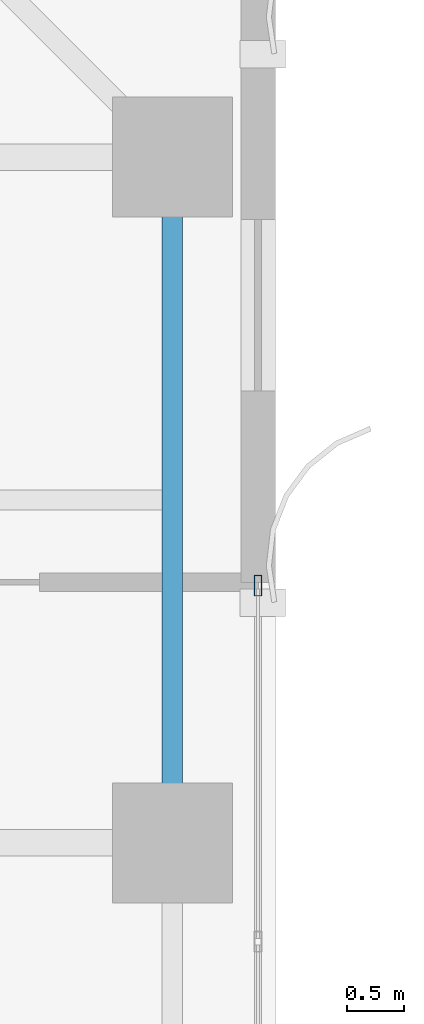
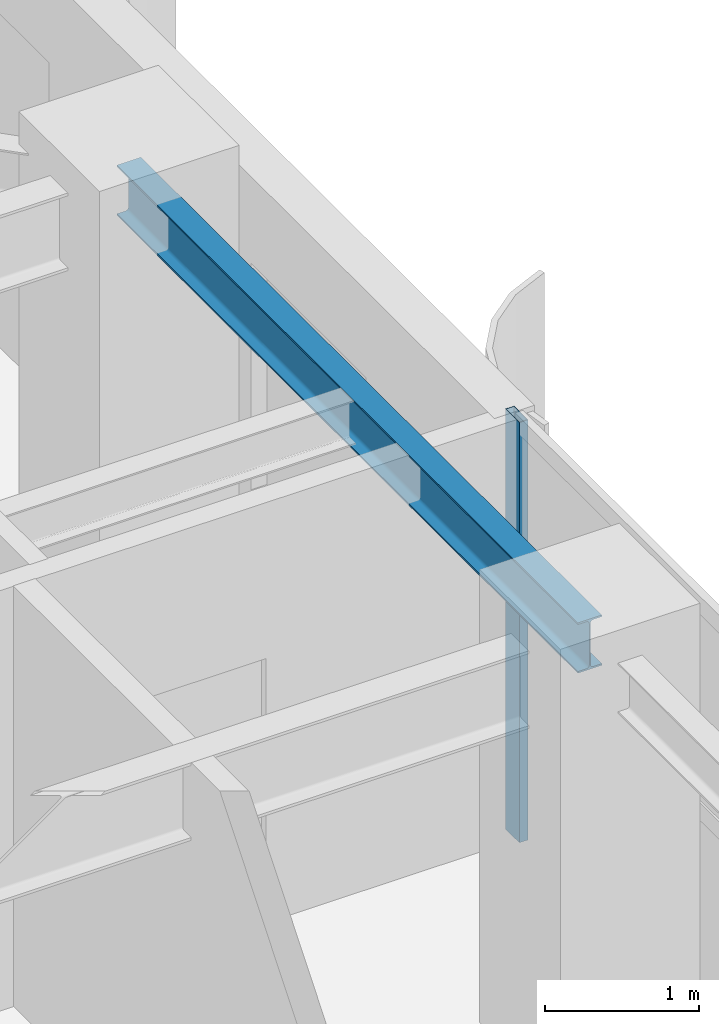
# One storey, part 15 of 25: 1 beam, 1 member, 1 element without a shape of its own.
"""IFC4 building model written with IfcOpenShell, lengths in metres."""

from ifc_helpers import new_model, si_unit, direction, frame, origin, origin_2d, place, context, subcontext, project, spatial, hollow_rectangle, i_section, extrude, source, transform, mapped, material, layer, layer_set, material_profile, profile_set, type_object, element, aggregate, save


model = new_model("IFC4")

# Units and contexts
model_context = context("Model", 3, precision=1e-05, world=origin(), true_north=direction((0.0, 1.0)))
body_context = subcontext(model_context, "Body", "Model", "MODEL_VIEW")
ifc_project = project(units=[si_unit("LENGTHUNIT", "METRE"), si_unit("AREAUNIT", "SQUARE_METRE"), si_unit("VOLUMEUNIT", "CUBIC_METRE"), si_unit("PLANEANGLEUNIT", "RADIAN"), si_unit("MASSUNIT", "GRAM", prefix="KILO")], contexts=[model_context])

# Site, building, storey
site_placement = place(None, origin())
site = spatial("IfcSite", under=ifc_project, at=site_placement, CompositionType="ELEMENT")
building_placement = place(site_placement, origin())
building = spatial("IfcBuilding", under=site, at=building_placement, Name="Khoralis Quay Care Tower", CompositionType="ELEMENT")
storey_placement = place(building_placement, frame((0.0, 0.0, 134.10009765625)))
storey = spatial("IfcBuildingStorey", under=building, at=storey_placement, Name="L35", CompositionType="ELEMENT", Elevation=134.10009765625)

# Beam
ifc_material_1 = material(Name="Steel S355", Category="steel")
ifc_material_profile_1 = material_profile(ifc_material_1, i_section(OverallWidth=0.179931640625, OverallDepth=0.39990234375, WebThickness=0.008544921875, FlangeThickness=0.013427734375, FilletRadius=0.02099609375, at=origin_2d()), Name="Steel S355")
ifc_profile_set_1 = profile_set([ifc_material_profile_1], Name="Steel S355")
beam_type = type_object("IfcBeamType", Name="BM-IPE400", PredefinedType="SPANDREL", material=ifc_profile_set_1)
shared_shape_1 = source(origin(), body_context, "Body", "SweptSolid", [
    extrude(i_section(OverallWidth=0.179931640625, OverallDepth=0.39990234375, WebThickness=0.008544921875, FlangeThickness=0.013427734375, FilletRadius=0.02099609375, at=origin_2d()), origin(), (0.0, 0.0, 1.0), 6.0),
])
beam_placement = place(storey_placement, frame((44.10009765625, 30.0, 3.139892578125), z_axis=(0.0, 1.0, 0.0), x_axis=(-1.0, 0.0, 0.0)))
element("IfcBeam", 1, at=beam_placement, inside=storey, type_object=beam_type, Name="BM-TSP-L35-20", PredefinedType="SPANDREL", context=body_context, shape_type="MappedRepresentation", body=[
    mapped(shared_shape_1, transform((0.0, 0.0, 0.0), scale=1.0)),
])

# Curtain wall, member
ifc_material_2 = material(Name="Pale anodised aluminium", Category="aluminium")
ifc_layer = layer(ifc_material_2, 0.169921875)
ifc_layer_set = layer_set([ifc_layer], Name="Pale anodised aluminium")
curtain_wall_type = type_object("IfcCurtainWallType", Name="CW-SYS-Z2", PredefinedType="NOTDEFINED", material=ifc_layer_set)
curtain_wall_placement = place(storey_placement, origin())
curtain_wall = element("IfcCurtainWall", 2, at=curtain_wall_placement, inside=storey, type_object=curtain_wall_type, Name="L35 Unitised Curtain Wall CW-L35-P1-E5", PredefinedType="NOTDEFINED")
ifc_material_profile_2 = material_profile(ifc_material_2, hollow_rectangle(XDim=0.06494140625, YDim=0.179931640625, WallThickness=0.00390625, at=origin_2d()), Name="Pale anodised aluminium")
ifc_profile_set_2 = profile_set([ifc_material_profile_2], Name="Pale anodised aluminium")
member_type = type_object("IfcMemberType", Name="CW-MUL-180", PredefinedType="MULLION", material=ifc_profile_set_2)
shared_shape_2 = source(origin(), body_context, "Body", "SweptSolid", [
    extrude(hollow_rectangle(XDim=0.06494140625, YDim=0.179931640625, WallThickness=0.00390625, at=origin_2d()), origin(), (0.0, 0.0, 1.0), 3.33984375),
])
member_placement = place(storey_placement, frame((44.85009765625, 32.25, 0.0), z_axis=(0.0, 0.0, 1.0), x_axis=(-1.0, 0.0, 0.0)))
member = element("IfcMember", 3, at=member_placement, type_object=member_type, Name="CW2 mullion 5", PredefinedType="MULLION", context=body_context, shape_type="MappedRepresentation", body=[
    mapped(shared_shape_2, transform((0.0, 0.0, 0.0), scale=1.0)),
])
aggregate(curtain_wall, [member])

save(model, "model.ifc")
